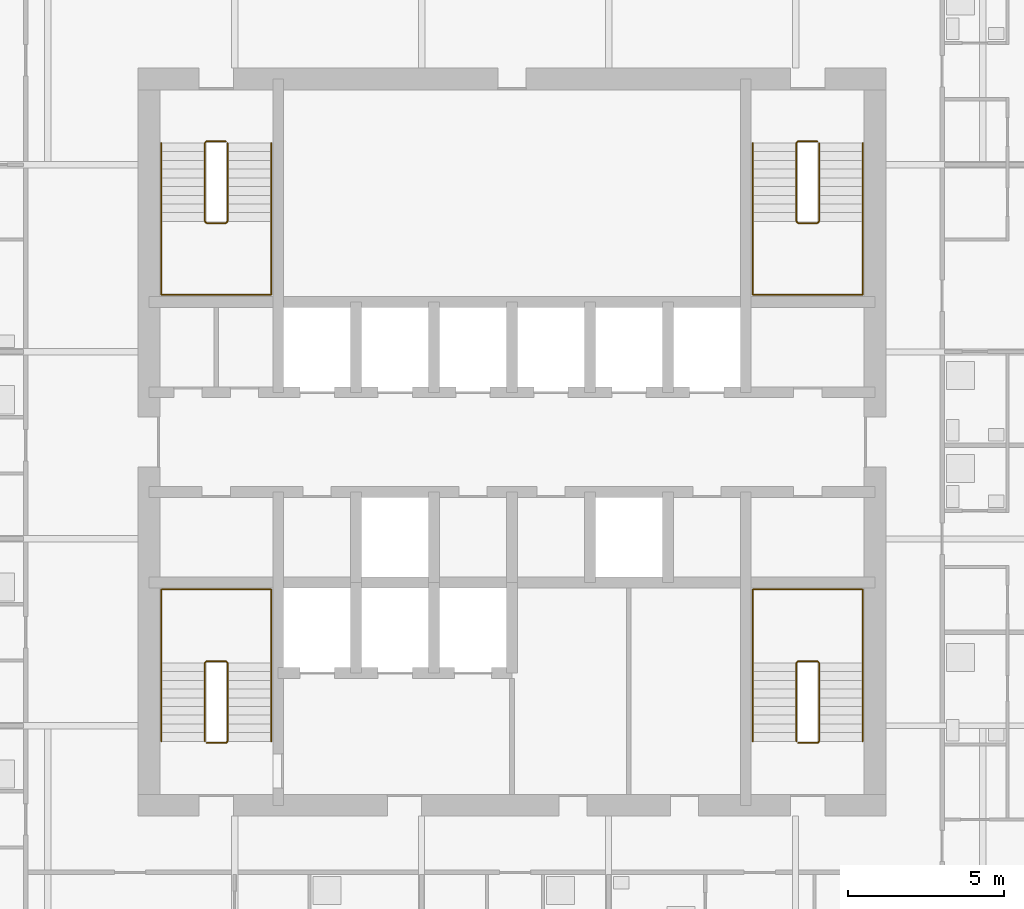
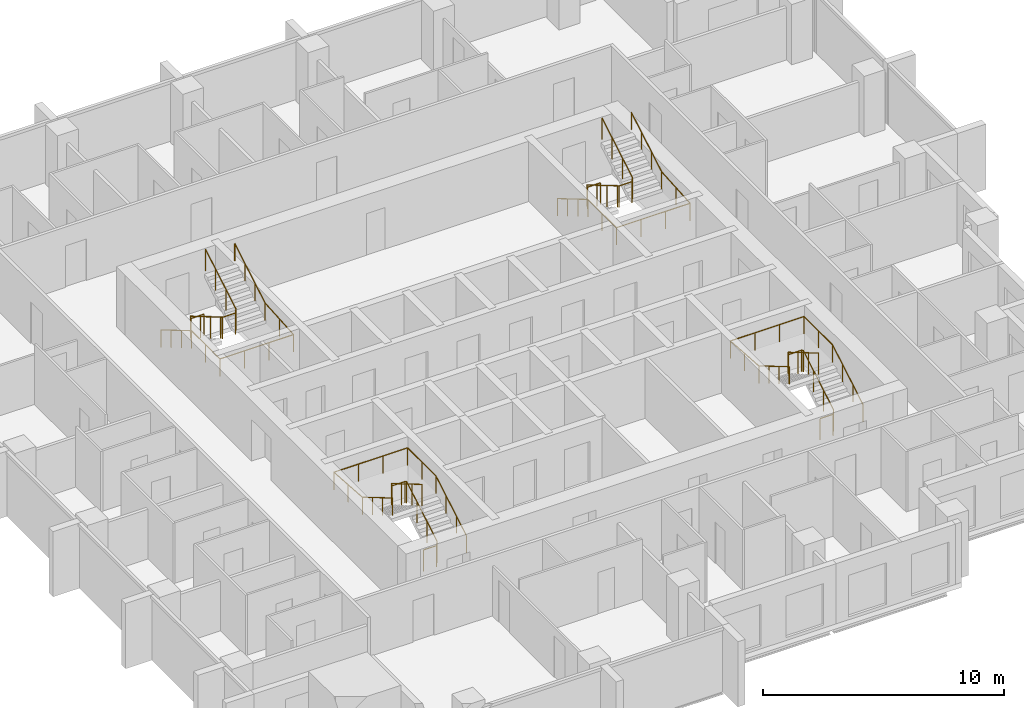
# One storey, part 10 of 11: 8 railings.
"""IFC4 building model written with IfcOpenShell, lengths in metres."""

from ifc_helpers import new_model, si_unit, direction, frame, origin, origin_2d, place, context, subcontext, project, spatial, circle, extrude, material, type_object, element, save


model = new_model("IFC4")

# Units and contexts
model_context = context("Model", 3, precision=1e-05, world=origin(), true_north=direction((0.0, 1.0)))
body_context = subcontext(model_context, "Body", "Model", "MODEL_VIEW")
ifc_project = project(units=[si_unit("LENGTHUNIT", "METRE"), si_unit("AREAUNIT", "SQUARE_METRE"), si_unit("VOLUMEUNIT", "CUBIC_METRE"), si_unit("PLANEANGLEUNIT", "RADIAN"), si_unit("MASSUNIT", "GRAM", prefix="KILO")], contexts=[model_context])

# Site, building, storey
site_placement = place(None, origin())
site = spatial("IfcSite", under=ifc_project, at=site_placement, CompositionType="ELEMENT")
building_placement = place(site_placement, origin())
building = spatial("IfcBuilding", under=site, at=building_placement, Name="Amberfall Residences", CompositionType="ELEMENT")
storey_placement = place(building_placement, frame((0.0, 0.0, 161.5)))
storey = spatial("IfcBuildingStorey", under=building, at=storey_placement, Name="L43", CompositionType="ELEMENT", Elevation=161.5)

# Railings
ifc_material = material(Name="Stainless steel 316", Category="steel")
railing_type_1 = type_object("IfcRailingType", Name="Stair guard 1100", PredefinedType="GUARDRAIL", material=ifc_material)
railing_1_placement = place(storey_placement, frame((64.699951171875, 35.85009765625, 0.0)))
element("IfcRailing", 1, at=railing_1_placement, inside=storey, type_object=railing_type_1, Name="L43 stair 1 guard", PredefinedType="GUARDRAIL", context=body_context, shape_type="SweptSolid", body=[
    extrude(circle(Radius=0.02392578125, at=origin_2d()), frame((0.0, 0.0, 1.076171875), z_axis=(1.0, 0.0, 0.0), x_axis=(0.0, 1.0, 0.0)), (0.0, 0.0, 1.0), 0.625),
    extrude(circle(Radius=0.02392578125, at=origin_2d()), frame((0.625, 0.0, 1.076171875), z_axis=(0.278810427259, 0.277450376394, 0.919394384522), x_axis=(-0.705375805398, 0.708833529934, 0.0)), (0.0, 0.0, 1.0), 0.179443359375),
    extrude(circle(Radius=0.02392578125, at=origin_2d()), frame((0.675048828125, 0.0498046875, 1.2412109375), z_axis=(0.0, 0.861560626758, 0.507654692109), x_axis=(-1.0, 0.0, 0.0)), (0.0, 0.0, 1.0), 2.925048828125),
    extrude(circle(Radius=0.02392578125, at=origin_2d()), frame((0.675048828125, 2.56982421875, 2.72607421875), z_axis=(-0.707106781187, 0.707106781187, 0.0), x_axis=(-0.707106781187, -0.707106781187, 0.0)), (0.0, 0.0, 1.0), 0.07080078125),
    extrude(circle(Radius=0.02392578125, at=origin_2d()), frame((0.625, 2.619873046875, 2.72607421875), z_axis=(-1.0, 0.0, 0.0), x_axis=(0.0, -1.0, 0.0)), (0.0, 0.0, 1.0), 0.625),
    extrude(circle(Radius=0.02392578125, at=origin_2d()), frame((0.0, 2.619873046875, 2.72607421875), z_axis=(-0.278705021027, -0.278705021027, 0.919046801044), x_axis=(0.707106781187, -0.707106781187, 0.0)), (0.0, 0.0, 1.0), 0.1796875),
    extrude(circle(Radius=0.02392578125, at=origin_2d()), frame((-0.050048828125, 2.56982421875, 2.89111328125), z_axis=(0.0, -0.86152411907, 0.507716645641), x_axis=(1.0, 0.0, 0.0)), (0.0, 0.0, 1.0), 2.925048828125),
    extrude(circle(Radius=0.02099609375, at=origin_2d()), origin(), (0.0, 0.0, 1.0), 1.052001953125),
    extrude(circle(Radius=0.02099609375, at=origin_2d()), frame((0.625, 0.0, 0.0)), (0.0, 0.0, 1.0), 1.052001953125),
    extrude(circle(Radius=0.02099609375, at=origin_2d()), frame((0.675048828125, 0.0498046875, 0.1650390625)), (0.0, 0.0, 1.0), 1.052001953125),
    extrude(circle(Radius=0.02099609375, at=origin_2d()), frame((0.675048828125, 0.889892578125, 0.659912109375)), (0.0, 0.0, 1.0), 1.052001953125),
    extrude(circle(Radius=0.02099609375, at=origin_2d()), frame((0.675048828125, 1.729736328125, 1.155029296875)), (0.0, 0.0, 1.0), 1.052001953125),
    extrude(circle(Radius=0.02099609375, at=origin_2d()), frame((0.675048828125, 2.56982421875, 1.64990234375)), (0.0, 0.0, 1.0), 1.052001953125),
    extrude(circle(Radius=0.02099609375, at=origin_2d()), frame((0.625, 2.619873046875, 1.64990234375)), (0.0, 0.0, 1.0), 1.052001953125),
    extrude(circle(Radius=0.02099609375, at=origin_2d()), frame((0.0, 2.619873046875, 1.64990234375)), (0.0, 0.0, 1.0), 1.052001953125),
    extrude(circle(Radius=0.02099609375, at=origin_2d()), frame((-0.050048828125, 2.56982421875, 1.81494140625)), (0.0, 0.0, 1.0), 1.052001953125),
    extrude(circle(Radius=0.02099609375, at=origin_2d()), frame((-0.050048828125, 1.729736328125, 2.31005859375)), (0.0, 0.0, 1.0), 1.052001953125),
    extrude(circle(Radius=0.02099609375, at=origin_2d()), frame((-0.050048828125, 0.889892578125, 2.804931640625)), (0.0, 0.0, 1.0), 1.052001953125),
    extrude(circle(Radius=0.02099609375, at=origin_2d()), frame((-0.050048828125, 0.0498046875, 3.300048828125)), (0.0, 0.0, 1.0), 1.052001953125),
])
railing_2_placement = place(storey_placement, frame((83.675048828125, 35.85009765625, 0.0)))
element("IfcRailing", 2, at=railing_2_placement, inside=storey, type_object=railing_type_1, Name="L43 stair 2 guard", PredefinedType="GUARDRAIL", context=body_context, shape_type="SweptSolid", body=[
    extrude(circle(Radius=0.02392578125, at=origin_2d()), frame((0.0, 0.0, 1.076171875), z_axis=(1.0, 0.0, 0.0), x_axis=(0.0, 1.0, 0.0)), (0.0, 0.0, 1.0), 0.625),
    extrude(circle(Radius=0.02392578125, at=origin_2d()), frame((0.625, 0.0, 1.076171875), z_axis=(0.278810427259, 0.277450376394, 0.919394384522), x_axis=(-0.705375805398, 0.708833529934, 0.0)), (0.0, 0.0, 1.0), 0.179443359375),
    extrude(circle(Radius=0.02392578125, at=origin_2d()), frame((0.675048828125, 0.0498046875, 1.2412109375), z_axis=(0.0, 0.861560626758, 0.507654692109), x_axis=(-1.0, 0.0, 0.0)), (0.0, 0.0, 1.0), 2.925048828125),
    extrude(circle(Radius=0.02392578125, at=origin_2d()), frame((0.675048828125, 2.56982421875, 2.72607421875), z_axis=(-0.707106781187, 0.707106781187, 0.0), x_axis=(-0.707106781187, -0.707106781187, 0.0)), (0.0, 0.0, 1.0), 0.07080078125),
    extrude(circle(Radius=0.02392578125, at=origin_2d()), frame((0.625, 2.619873046875, 2.72607421875), z_axis=(-1.0, 0.0, 0.0), x_axis=(0.0, -1.0, 0.0)), (0.0, 0.0, 1.0), 0.625),
    extrude(circle(Radius=0.02392578125, at=origin_2d()), frame((0.0, 2.619873046875, 2.72607421875), z_axis=(-0.278705021027, -0.278705021027, 0.919046801044), x_axis=(0.707106781187, -0.707106781187, 0.0)), (0.0, 0.0, 1.0), 0.1796875),
    extrude(circle(Radius=0.02392578125, at=origin_2d()), frame((-0.050048828125, 2.56982421875, 2.89111328125), z_axis=(0.0, -0.86152411907, 0.507716645641), x_axis=(1.0, 0.0, 0.0)), (0.0, 0.0, 1.0), 2.925048828125),
    extrude(circle(Radius=0.02099609375, at=origin_2d()), origin(), (0.0, 0.0, 1.0), 1.052001953125),
    extrude(circle(Radius=0.02099609375, at=origin_2d()), frame((0.625, 0.0, 0.0)), (0.0, 0.0, 1.0), 1.052001953125),
    extrude(circle(Radius=0.02099609375, at=origin_2d()), frame((0.675048828125, 0.0498046875, 0.1650390625)), (0.0, 0.0, 1.0), 1.052001953125),
    extrude(circle(Radius=0.02099609375, at=origin_2d()), frame((0.675048828125, 0.889892578125, 0.659912109375)), (0.0, 0.0, 1.0), 1.052001953125),
    extrude(circle(Radius=0.02099609375, at=origin_2d()), frame((0.675048828125, 1.729736328125, 1.155029296875)), (0.0, 0.0, 1.0), 1.052001953125),
    extrude(circle(Radius=0.02099609375, at=origin_2d()), frame((0.675048828125, 2.56982421875, 1.64990234375)), (0.0, 0.0, 1.0), 1.052001953125),
    extrude(circle(Radius=0.02099609375, at=origin_2d()), frame((0.625, 2.619873046875, 1.64990234375)), (0.0, 0.0, 1.0), 1.052001953125),
    extrude(circle(Radius=0.02099609375, at=origin_2d()), frame((0.0, 2.619873046875, 1.64990234375)), (0.0, 0.0, 1.0), 1.052001953125),
    extrude(circle(Radius=0.02099609375, at=origin_2d()), frame((-0.050048828125, 2.56982421875, 1.81494140625)), (0.0, 0.0, 1.0), 1.052001953125),
    extrude(circle(Radius=0.02099609375, at=origin_2d()), frame((-0.050048828125, 1.729736328125, 2.31005859375)), (0.0, 0.0, 1.0), 1.052001953125),
    extrude(circle(Radius=0.02099609375, at=origin_2d()), frame((-0.050048828125, 0.889892578125, 2.804931640625)), (0.0, 0.0, 1.0), 1.052001953125),
    extrude(circle(Radius=0.02099609375, at=origin_2d()), frame((-0.050048828125, 0.0498046875, 3.300048828125)), (0.0, 0.0, 1.0), 1.052001953125),
])
railing_3_placement = place(storey_placement, frame((84.300048828125, 55.14990234375, 0.0)))
element("IfcRailing", 3, at=railing_3_placement, inside=storey, type_object=railing_type_1, Name="L43 stair 3 guard", PredefinedType="GUARDRAIL", context=body_context, shape_type="SweptSolid", body=[
    extrude(circle(Radius=0.02392578125, at=origin_2d()), frame((0.0, 0.0, 1.076171875), z_axis=(-1.0, 0.0, 0.0), x_axis=(0.0, -1.0, 0.0)), (0.0, 0.0, 1.0), 0.625),
    extrude(circle(Radius=0.02392578125, at=origin_2d()), frame((-0.625, 0.0, 1.076171875), z_axis=(-0.278810427259, -0.277450376394, 0.919394384522), x_axis=(0.705375805398, -0.708833529934, 0.0)), (0.0, 0.0, 1.0), 0.179443359375),
    extrude(circle(Radius=0.02392578125, at=origin_2d()), frame((-0.675048828125, -0.0498046875, 1.2412109375), z_axis=(0.0, -0.861560626758, 0.507654692109), x_axis=(1.0, 0.0, 0.0)), (0.0, 0.0, 1.0), 2.925048828125),
    extrude(circle(Radius=0.02392578125, at=origin_2d()), frame((-0.675048828125, -2.56982421875, 2.72607421875), z_axis=(0.707106781187, -0.707106781187, 0.0), x_axis=(0.707106781187, 0.707106781187, 0.0)), (0.0, 0.0, 1.0), 0.07080078125),
    extrude(circle(Radius=0.02392578125, at=origin_2d()), frame((-0.625, -2.619873046875, 2.72607421875), z_axis=(1.0, 0.0, 0.0), x_axis=(0.0, 1.0, 0.0)), (0.0, 0.0, 1.0), 0.625),
    extrude(circle(Radius=0.02392578125, at=origin_2d()), frame((0.0, -2.619873046875, 2.72607421875), z_axis=(0.278705021027, 0.278705021027, 0.919046801044), x_axis=(-0.707106781187, 0.707106781187, 0.0)), (0.0, 0.0, 1.0), 0.1796875),
    extrude(circle(Radius=0.02392578125, at=origin_2d()), frame((0.050048828125, -2.56982421875, 2.89111328125), z_axis=(0.0, 0.86152411907, 0.507716645641), x_axis=(-1.0, 0.0, 0.0)), (0.0, 0.0, 1.0), 2.925048828125),
    extrude(circle(Radius=0.02099609375, at=origin_2d()), origin(), (0.0, 0.0, 1.0), 1.052001953125),
    extrude(circle(Radius=0.02099609375, at=origin_2d()), frame((-0.625, 0.0, 0.0)), (0.0, 0.0, 1.0), 1.052001953125),
    extrude(circle(Radius=0.02099609375, at=origin_2d()), frame((-0.675048828125, -0.0498046875, 0.1650390625)), (0.0, 0.0, 1.0), 1.052001953125),
    extrude(circle(Radius=0.02099609375, at=origin_2d()), frame((-0.675048828125, -0.889892578125, 0.659912109375)), (0.0, 0.0, 1.0), 1.052001953125),
    extrude(circle(Radius=0.02099609375, at=origin_2d()), frame((-0.675048828125, -1.729736328125, 1.155029296875)), (0.0, 0.0, 1.0), 1.052001953125),
    extrude(circle(Radius=0.02099609375, at=origin_2d()), frame((-0.675048828125, -2.56982421875, 1.64990234375)), (0.0, 0.0, 1.0), 1.052001953125),
    extrude(circle(Radius=0.02099609375, at=origin_2d()), frame((-0.625, -2.619873046875, 1.64990234375)), (0.0, 0.0, 1.0), 1.052001953125),
    extrude(circle(Radius=0.02099609375, at=origin_2d()), frame((0.0, -2.619873046875, 1.64990234375)), (0.0, 0.0, 1.0), 1.052001953125),
    extrude(circle(Radius=0.02099609375, at=origin_2d()), frame((0.050048828125, -2.56982421875, 1.81494140625)), (0.0, 0.0, 1.0), 1.052001953125),
    extrude(circle(Radius=0.02099609375, at=origin_2d()), frame((0.050048828125, -1.729736328125, 2.31005859375)), (0.0, 0.0, 1.0), 1.052001953125),
    extrude(circle(Radius=0.02099609375, at=origin_2d()), frame((0.050048828125, -0.889892578125, 2.804931640625)), (0.0, 0.0, 1.0), 1.052001953125),
    extrude(circle(Radius=0.02099609375, at=origin_2d()), frame((0.050048828125, -0.0498046875, 3.300048828125)), (0.0, 0.0, 1.0), 1.052001953125),
])
railing_4_placement = place(storey_placement, frame((65.324951171875, 55.14990234375, 0.0)))
element("IfcRailing", 4, at=railing_4_placement, inside=storey, type_object=railing_type_1, Name="L43 stair 4 guard", PredefinedType="GUARDRAIL", context=body_context, shape_type="SweptSolid", body=[
    extrude(circle(Radius=0.02392578125, at=origin_2d()), frame((0.0, 0.0, 1.076171875), z_axis=(-1.0, 0.0, 0.0), x_axis=(0.0, -1.0, 0.0)), (0.0, 0.0, 1.0), 0.625),
    extrude(circle(Radius=0.02392578125, at=origin_2d()), frame((-0.625, 0.0, 1.076171875), z_axis=(-0.278810427259, -0.277450376394, 0.919394384522), x_axis=(0.705375805398, -0.708833529934, 0.0)), (0.0, 0.0, 1.0), 0.179443359375),
    extrude(circle(Radius=0.02392578125, at=origin_2d()), frame((-0.675048828125, -0.0498046875, 1.2412109375), z_axis=(0.0, -0.861560626758, 0.507654692109), x_axis=(1.0, 0.0, 0.0)), (0.0, 0.0, 1.0), 2.925048828125),
    extrude(circle(Radius=0.02392578125, at=origin_2d()), frame((-0.675048828125, -2.56982421875, 2.72607421875), z_axis=(0.707106781187, -0.707106781187, 0.0), x_axis=(0.707106781187, 0.707106781187, 0.0)), (0.0, 0.0, 1.0), 0.07080078125),
    extrude(circle(Radius=0.02392578125, at=origin_2d()), frame((-0.625, -2.619873046875, 2.72607421875), z_axis=(1.0, 0.0, 0.0), x_axis=(0.0, 1.0, 0.0)), (0.0, 0.0, 1.0), 0.625),
    extrude(circle(Radius=0.02392578125, at=origin_2d()), frame((0.0, -2.619873046875, 2.72607421875), z_axis=(0.278705021027, 0.278705021027, 0.919046801044), x_axis=(-0.707106781187, 0.707106781187, 0.0)), (0.0, 0.0, 1.0), 0.1796875),
    extrude(circle(Radius=0.02392578125, at=origin_2d()), frame((0.050048828125, -2.56982421875, 2.89111328125), z_axis=(0.0, 0.86152411907, 0.507716645641), x_axis=(-1.0, 0.0, 0.0)), (0.0, 0.0, 1.0), 2.925048828125),
    extrude(circle(Radius=0.02099609375, at=origin_2d()), origin(), (0.0, 0.0, 1.0), 1.052001953125),
    extrude(circle(Radius=0.02099609375, at=origin_2d()), frame((-0.625, 0.0, 0.0)), (0.0, 0.0, 1.0), 1.052001953125),
    extrude(circle(Radius=0.02099609375, at=origin_2d()), frame((-0.675048828125, -0.0498046875, 0.1650390625)), (0.0, 0.0, 1.0), 1.052001953125),
    extrude(circle(Radius=0.02099609375, at=origin_2d()), frame((-0.675048828125, -0.889892578125, 0.659912109375)), (0.0, 0.0, 1.0), 1.052001953125),
    extrude(circle(Radius=0.02099609375, at=origin_2d()), frame((-0.675048828125, -1.729736328125, 1.155029296875)), (0.0, 0.0, 1.0), 1.052001953125),
    extrude(circle(Radius=0.02099609375, at=origin_2d()), frame((-0.675048828125, -2.56982421875, 1.64990234375)), (0.0, 0.0, 1.0), 1.052001953125),
    extrude(circle(Radius=0.02099609375, at=origin_2d()), frame((-0.625, -2.619873046875, 1.64990234375)), (0.0, 0.0, 1.0), 1.052001953125),
    extrude(circle(Radius=0.02099609375, at=origin_2d()), frame((0.0, -2.619873046875, 1.64990234375)), (0.0, 0.0, 1.0), 1.052001953125),
    extrude(circle(Radius=0.02099609375, at=origin_2d()), frame((0.050048828125, -2.56982421875, 1.81494140625)), (0.0, 0.0, 1.0), 1.052001953125),
    extrude(circle(Radius=0.02099609375, at=origin_2d()), frame((0.050048828125, -1.729736328125, 2.31005859375)), (0.0, 0.0, 1.0), 1.052001953125),
    extrude(circle(Radius=0.02099609375, at=origin_2d()), frame((0.050048828125, -0.889892578125, 2.804931640625)), (0.0, 0.0, 1.0), 1.052001953125),
    extrude(circle(Radius=0.02099609375, at=origin_2d()), frame((0.050048828125, -0.0498046875, 3.300048828125)), (0.0, 0.0, 1.0), 1.052001953125),
])
railing_type_2 = type_object("IfcRailingType", Name="Stair handrail 900", PredefinedType="HANDRAIL", material=ifc_material)
railing_5_placement = place(storey_placement, frame((66.77490234375, 35.89990234375, 0.1650390625)))
element("IfcRailing", 5, at=railing_5_placement, inside=storey, type_object=railing_type_2, Name="L43 stair 1 handrail", PredefinedType="HANDRAIL", context=body_context, shape_type="SweptSolid", body=[
    extrude(circle(Radius=0.02392578125, at=origin_2d()), frame((0.0, 0.0, 0.8759765625), z_axis=(0.0, 0.861560626758, 0.507654692109), x_axis=(-1.0, 0.0, 0.0)), (0.0, 0.0, 1.0), 2.925048828125),
    extrude(circle(Radius=0.02392578125, at=origin_2d()), frame((0.0, 2.52001953125, 2.36083984375), z_axis=(0.0, 1.0, 0.0), x_axis=(-1.0, 0.0, 0.0)), (0.0, 0.0, 1.0), 2.35498046875),
    extrude(circle(Radius=0.02392578125, at=origin_2d()), frame((0.0, 4.875, 2.36083984375), z_axis=(-1.0, 0.0, 0.0), x_axis=(0.0, -1.0, 0.0)), (0.0, 0.0, 1.0), 3.52490234375),
    extrude(circle(Radius=0.02392578125, at=origin_2d()), frame((-3.52490234375, 4.875, 2.36083984375), z_axis=(0.0, -0.997553344917, 0.069909398835), x_axis=(1.0, 0.0, 0.0)), (0.0, 0.0, 1.0), 2.36083984375),
    extrude(circle(Radius=0.02392578125, at=origin_2d()), frame((-3.52490234375, 2.52001953125, 2.52587890625), z_axis=(0.0, -0.86152411907, 0.507716645641), x_axis=(1.0, 0.0, 0.0)), (0.0, 0.0, 1.0), 2.925048828125),
    extrude(circle(Radius=0.02099609375, at=origin_2d()), origin(), (0.0, 0.0, 1.0), 0.851806640625),
    extrude(circle(Radius=0.02099609375, at=origin_2d()), frame((0.0, 0.840087890625, 0.494873046875)), (0.0, 0.0, 1.0), 0.851806640625),
    extrude(circle(Radius=0.02099609375, at=origin_2d()), frame((0.0, 1.679931640625, 0.989990234375)), (0.0, 0.0, 1.0), 0.851806640625),
    extrude(circle(Radius=0.02099609375, at=origin_2d()), frame((0.0, 2.52001953125, 1.48486328125)), (0.0, 0.0, 1.0), 0.851806640625),
    extrude(circle(Radius=0.02099609375, at=origin_2d()), frame((0.0, 3.697509765625, 1.48486328125)), (0.0, 0.0, 1.0), 0.851806640625),
    extrude(circle(Radius=0.02099609375, at=origin_2d()), frame((0.0, 4.875, 1.48486328125)), (0.0, 0.0, 1.0), 0.851806640625),
    extrude(circle(Radius=0.02099609375, at=origin_2d()), frame((-1.175048828125, 4.875, 1.48486328125)), (0.0, 0.0, 1.0), 0.851806640625),
    extrude(circle(Radius=0.02099609375, at=origin_2d()), frame((-2.349853515625, 4.875, 1.48486328125)), (0.0, 0.0, 1.0), 0.851806640625),
    extrude(circle(Radius=0.02099609375, at=origin_2d()), frame((-3.52490234375, 4.875, 1.48486328125)), (0.0, 0.0, 1.0), 0.851806640625),
    extrude(circle(Radius=0.02099609375, at=origin_2d()), frame((-3.52490234375, 3.697509765625, 1.5673828125)), (0.0, 0.0, 1.0), 0.851806640625),
    extrude(circle(Radius=0.02099609375, at=origin_2d()), frame((-3.52490234375, 2.52001953125, 1.64990234375)), (0.0, 0.0, 1.0), 0.851806640625),
    extrude(circle(Radius=0.02099609375, at=origin_2d()), frame((-3.52490234375, 1.679931640625, 2.14501953125)), (0.0, 0.0, 1.0), 0.851806640625),
    extrude(circle(Radius=0.02099609375, at=origin_2d()), frame((-3.52490234375, 0.840087890625, 2.639892578125)), (0.0, 0.0, 1.0), 0.851806640625),
    extrude(circle(Radius=0.02099609375, at=origin_2d()), frame((-3.52490234375, 0.0, 3.135009765625)), (0.0, 0.0, 1.0), 0.851806640625),
])
railing_6_placement = place(storey_placement, frame((85.75, 35.89990234375, 0.1650390625)))
element("IfcRailing", 6, at=railing_6_placement, inside=storey, type_object=railing_type_2, Name="L43 stair 2 handrail", PredefinedType="HANDRAIL", context=body_context, shape_type="SweptSolid", body=[
    extrude(circle(Radius=0.02392578125, at=origin_2d()), frame((0.0, 0.0, 0.8759765625), z_axis=(0.0, 0.861560626758, 0.507654692109), x_axis=(-1.0, 0.0, 0.0)), (0.0, 0.0, 1.0), 2.925048828125),
    extrude(circle(Radius=0.02392578125, at=origin_2d()), frame((0.0, 2.52001953125, 2.36083984375), z_axis=(0.0, 1.0, 0.0), x_axis=(-1.0, 0.0, 0.0)), (0.0, 0.0, 1.0), 2.35498046875),
    extrude(circle(Radius=0.02392578125, at=origin_2d()), frame((0.0, 4.875, 2.36083984375), z_axis=(-1.0, 0.0, 0.0), x_axis=(0.0, -1.0, 0.0)), (0.0, 0.0, 1.0), 3.52490234375),
    extrude(circle(Radius=0.02392578125, at=origin_2d()), frame((-3.52490234375, 4.875, 2.36083984375), z_axis=(0.0, -0.997553344917, 0.069909398835), x_axis=(1.0, 0.0, 0.0)), (0.0, 0.0, 1.0), 2.36083984375),
    extrude(circle(Radius=0.02392578125, at=origin_2d()), frame((-3.52490234375, 2.52001953125, 2.52587890625), z_axis=(0.0, -0.86152411907, 0.507716645641), x_axis=(1.0, 0.0, 0.0)), (0.0, 0.0, 1.0), 2.925048828125),
    extrude(circle(Radius=0.02099609375, at=origin_2d()), origin(), (0.0, 0.0, 1.0), 0.851806640625),
    extrude(circle(Radius=0.02099609375, at=origin_2d()), frame((0.0, 0.840087890625, 0.494873046875)), (0.0, 0.0, 1.0), 0.851806640625),
    extrude(circle(Radius=0.02099609375, at=origin_2d()), frame((0.0, 1.679931640625, 0.989990234375)), (0.0, 0.0, 1.0), 0.851806640625),
    extrude(circle(Radius=0.02099609375, at=origin_2d()), frame((0.0, 2.52001953125, 1.48486328125)), (0.0, 0.0, 1.0), 0.851806640625),
    extrude(circle(Radius=0.02099609375, at=origin_2d()), frame((0.0, 3.697509765625, 1.48486328125)), (0.0, 0.0, 1.0), 0.851806640625),
    extrude(circle(Radius=0.02099609375, at=origin_2d()), frame((0.0, 4.875, 1.48486328125)), (0.0, 0.0, 1.0), 0.851806640625),
    extrude(circle(Radius=0.02099609375, at=origin_2d()), frame((-1.175048828125, 4.875, 1.48486328125)), (0.0, 0.0, 1.0), 0.851806640625),
    extrude(circle(Radius=0.02099609375, at=origin_2d()), frame((-2.349853515625, 4.875, 1.48486328125)), (0.0, 0.0, 1.0), 0.851806640625),
    extrude(circle(Radius=0.02099609375, at=origin_2d()), frame((-3.52490234375, 4.875, 1.48486328125)), (0.0, 0.0, 1.0), 0.851806640625),
    extrude(circle(Radius=0.02099609375, at=origin_2d()), frame((-3.52490234375, 3.697509765625, 1.5673828125)), (0.0, 0.0, 1.0), 0.851806640625),
    extrude(circle(Radius=0.02099609375, at=origin_2d()), frame((-3.52490234375, 2.52001953125, 1.64990234375)), (0.0, 0.0, 1.0), 0.851806640625),
    extrude(circle(Radius=0.02099609375, at=origin_2d()), frame((-3.52490234375, 1.679931640625, 2.14501953125)), (0.0, 0.0, 1.0), 0.851806640625),
    extrude(circle(Radius=0.02099609375, at=origin_2d()), frame((-3.52490234375, 0.840087890625, 2.639892578125)), (0.0, 0.0, 1.0), 0.851806640625),
    extrude(circle(Radius=0.02099609375, at=origin_2d()), frame((-3.52490234375, 0.0, 3.135009765625)), (0.0, 0.0, 1.0), 0.851806640625),
])
railing_7_placement = place(storey_placement, frame((82.22509765625, 55.10009765625, 0.1650390625)))
element("IfcRailing", 7, at=railing_7_placement, inside=storey, type_object=railing_type_2, Name="L43 stair 3 handrail", PredefinedType="HANDRAIL", context=body_context, shape_type="SweptSolid", body=[
    extrude(circle(Radius=0.02392578125, at=origin_2d()), frame((0.0, 0.0, 0.8759765625), z_axis=(0.0, -0.861560626758, 0.507654692109), x_axis=(1.0, 0.0, 0.0)), (0.0, 0.0, 1.0), 2.925048828125),
    extrude(circle(Radius=0.02392578125, at=origin_2d()), frame((0.0, -2.52001953125, 2.36083984375), z_axis=(0.0, -1.0, 0.0), x_axis=(1.0, 0.0, 0.0)), (0.0, 0.0, 1.0), 2.35498046875),
    extrude(circle(Radius=0.02392578125, at=origin_2d()), frame((0.0, -4.875, 2.36083984375), z_axis=(1.0, 0.0, 0.0), x_axis=(0.0, 1.0, 0.0)), (0.0, 0.0, 1.0), 3.52490234375),
    extrude(circle(Radius=0.02392578125, at=origin_2d()), frame((3.52490234375, -4.875, 2.36083984375), z_axis=(0.0, 0.997553344917, 0.069909398835), x_axis=(-1.0, 0.0, 0.0)), (0.0, 0.0, 1.0), 2.36083984375),
    extrude(circle(Radius=0.02392578125, at=origin_2d()), frame((3.52490234375, -2.52001953125, 2.52587890625), z_axis=(0.0, 0.86152411907, 0.507716645641), x_axis=(-1.0, 0.0, 0.0)), (0.0, 0.0, 1.0), 2.925048828125),
    extrude(circle(Radius=0.02099609375, at=origin_2d()), origin(), (0.0, 0.0, 1.0), 0.851806640625),
    extrude(circle(Radius=0.02099609375, at=origin_2d()), frame((0.0, -0.840087890625, 0.494873046875)), (0.0, 0.0, 1.0), 0.851806640625),
    extrude(circle(Radius=0.02099609375, at=origin_2d()), frame((0.0, -1.679931640625, 0.989990234375)), (0.0, 0.0, 1.0), 0.851806640625),
    extrude(circle(Radius=0.02099609375, at=origin_2d()), frame((0.0, -2.52001953125, 1.48486328125)), (0.0, 0.0, 1.0), 0.851806640625),
    extrude(circle(Radius=0.02099609375, at=origin_2d()), frame((0.0, -3.697509765625, 1.48486328125)), (0.0, 0.0, 1.0), 0.851806640625),
    extrude(circle(Radius=0.02099609375, at=origin_2d()), frame((0.0, -4.875, 1.48486328125)), (0.0, 0.0, 1.0), 0.851806640625),
    extrude(circle(Radius=0.02099609375, at=origin_2d()), frame((1.175048828125, -4.875, 1.48486328125)), (0.0, 0.0, 1.0), 0.851806640625),
    extrude(circle(Radius=0.02099609375, at=origin_2d()), frame((2.349853515625, -4.875, 1.48486328125)), (0.0, 0.0, 1.0), 0.851806640625),
    extrude(circle(Radius=0.02099609375, at=origin_2d()), frame((3.52490234375, -4.875, 1.48486328125)), (0.0, 0.0, 1.0), 0.851806640625),
    extrude(circle(Radius=0.02099609375, at=origin_2d()), frame((3.52490234375, -3.697509765625, 1.5673828125)), (0.0, 0.0, 1.0), 0.851806640625),
    extrude(circle(Radius=0.02099609375, at=origin_2d()), frame((3.52490234375, -2.52001953125, 1.64990234375)), (0.0, 0.0, 1.0), 0.851806640625),
    extrude(circle(Radius=0.02099609375, at=origin_2d()), frame((3.52490234375, -1.679931640625, 2.14501953125)), (0.0, 0.0, 1.0), 0.851806640625),
    extrude(circle(Radius=0.02099609375, at=origin_2d()), frame((3.52490234375, -0.840087890625, 2.639892578125)), (0.0, 0.0, 1.0), 0.851806640625),
    extrude(circle(Radius=0.02099609375, at=origin_2d()), frame((3.52490234375, 0.0, 3.135009765625)), (0.0, 0.0, 1.0), 0.851806640625),
])
railing_8_placement = place(storey_placement, frame((63.25, 55.10009765625, 0.1650390625)))
element("IfcRailing", 8, at=railing_8_placement, inside=storey, type_object=railing_type_2, Name="L43 stair 4 handrail", PredefinedType="HANDRAIL", context=body_context, shape_type="SweptSolid", body=[
    extrude(circle(Radius=0.02392578125, at=origin_2d()), frame((0.0, 0.0, 0.8759765625), z_axis=(0.0, -0.861560626758, 0.507654692109), x_axis=(1.0, 0.0, 0.0)), (0.0, 0.0, 1.0), 2.925048828125),
    extrude(circle(Radius=0.02392578125, at=origin_2d()), frame((0.0, -2.52001953125, 2.36083984375), z_axis=(0.0, -1.0, 0.0), x_axis=(1.0, 0.0, 0.0)), (0.0, 0.0, 1.0), 2.35498046875),
    extrude(circle(Radius=0.02392578125, at=origin_2d()), frame((0.0, -4.875, 2.36083984375), z_axis=(1.0, 0.0, 0.0), x_axis=(0.0, 1.0, 0.0)), (0.0, 0.0, 1.0), 3.52490234375),
    extrude(circle(Radius=0.02392578125, at=origin_2d()), frame((3.52490234375, -4.875, 2.36083984375), z_axis=(0.0, 0.997553344917, 0.069909398835), x_axis=(-1.0, 0.0, 0.0)), (0.0, 0.0, 1.0), 2.36083984375),
    extrude(circle(Radius=0.02392578125, at=origin_2d()), frame((3.52490234375, -2.52001953125, 2.52587890625), z_axis=(0.0, 0.86152411907, 0.507716645641), x_axis=(-1.0, 0.0, 0.0)), (0.0, 0.0, 1.0), 2.925048828125),
    extrude(circle(Radius=0.02099609375, at=origin_2d()), origin(), (0.0, 0.0, 1.0), 0.851806640625),
    extrude(circle(Radius=0.02099609375, at=origin_2d()), frame((0.0, -0.840087890625, 0.494873046875)), (0.0, 0.0, 1.0), 0.851806640625),
    extrude(circle(Radius=0.02099609375, at=origin_2d()), frame((0.0, -1.679931640625, 0.989990234375)), (0.0, 0.0, 1.0), 0.851806640625),
    extrude(circle(Radius=0.02099609375, at=origin_2d()), frame((0.0, -2.52001953125, 1.48486328125)), (0.0, 0.0, 1.0), 0.851806640625),
    extrude(circle(Radius=0.02099609375, at=origin_2d()), frame((0.0, -3.697509765625, 1.48486328125)), (0.0, 0.0, 1.0), 0.851806640625),
    extrude(circle(Radius=0.02099609375, at=origin_2d()), frame((0.0, -4.875, 1.48486328125)), (0.0, 0.0, 1.0), 0.851806640625),
    extrude(circle(Radius=0.02099609375, at=origin_2d()), frame((1.175048828125, -4.875, 1.48486328125)), (0.0, 0.0, 1.0), 0.851806640625),
    extrude(circle(Radius=0.02099609375, at=origin_2d()), frame((2.349853515625, -4.875, 1.48486328125)), (0.0, 0.0, 1.0), 0.851806640625),
    extrude(circle(Radius=0.02099609375, at=origin_2d()), frame((3.52490234375, -4.875, 1.48486328125)), (0.0, 0.0, 1.0), 0.851806640625),
    extrude(circle(Radius=0.02099609375, at=origin_2d()), frame((3.52490234375, -3.697509765625, 1.5673828125)), (0.0, 0.0, 1.0), 0.851806640625),
    extrude(circle(Radius=0.02099609375, at=origin_2d()), frame((3.52490234375, -2.52001953125, 1.64990234375)), (0.0, 0.0, 1.0), 0.851806640625),
    extrude(circle(Radius=0.02099609375, at=origin_2d()), frame((3.52490234375, -1.679931640625, 2.14501953125)), (0.0, 0.0, 1.0), 0.851806640625),
    extrude(circle(Radius=0.02099609375, at=origin_2d()), frame((3.52490234375, -0.840087890625, 2.639892578125)), (0.0, 0.0, 1.0), 0.851806640625),
    extrude(circle(Radius=0.02099609375, at=origin_2d()), frame((3.52490234375, 0.0, 3.135009765625)), (0.0, 0.0, 1.0), 0.851806640625),
])

save(model, "model.ifc")
